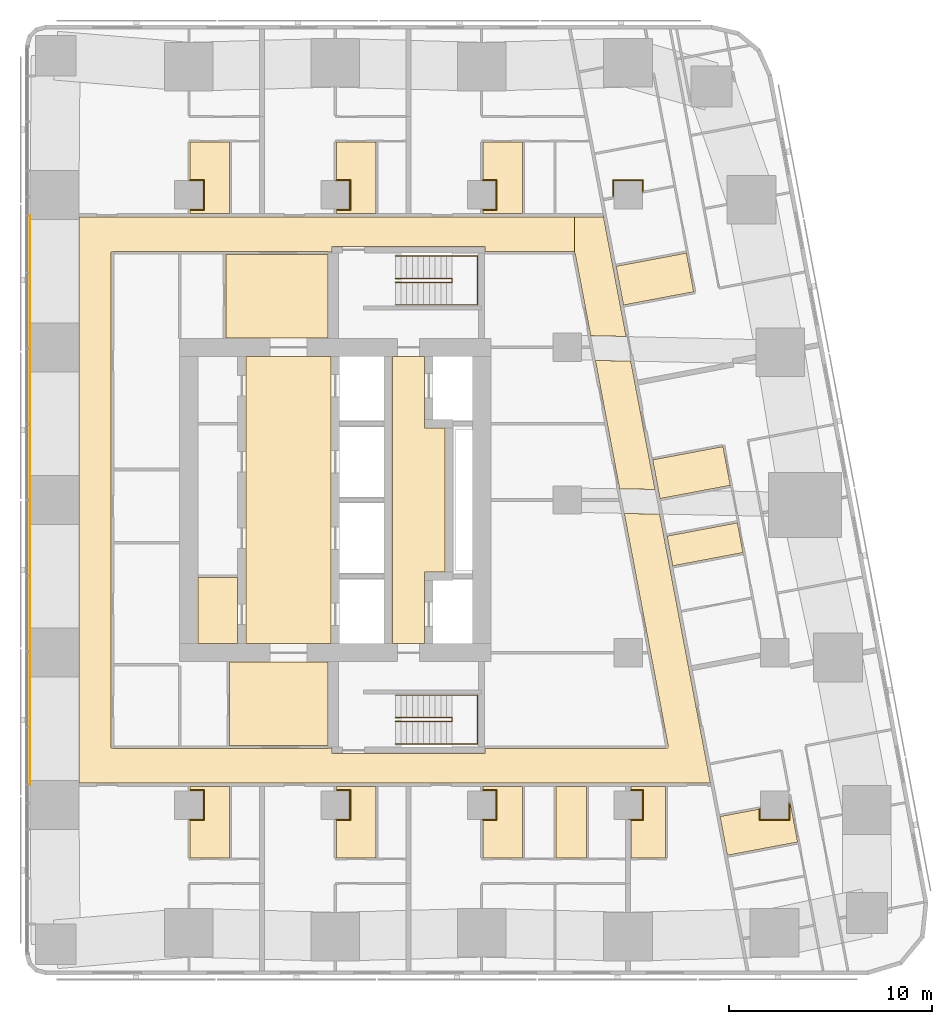
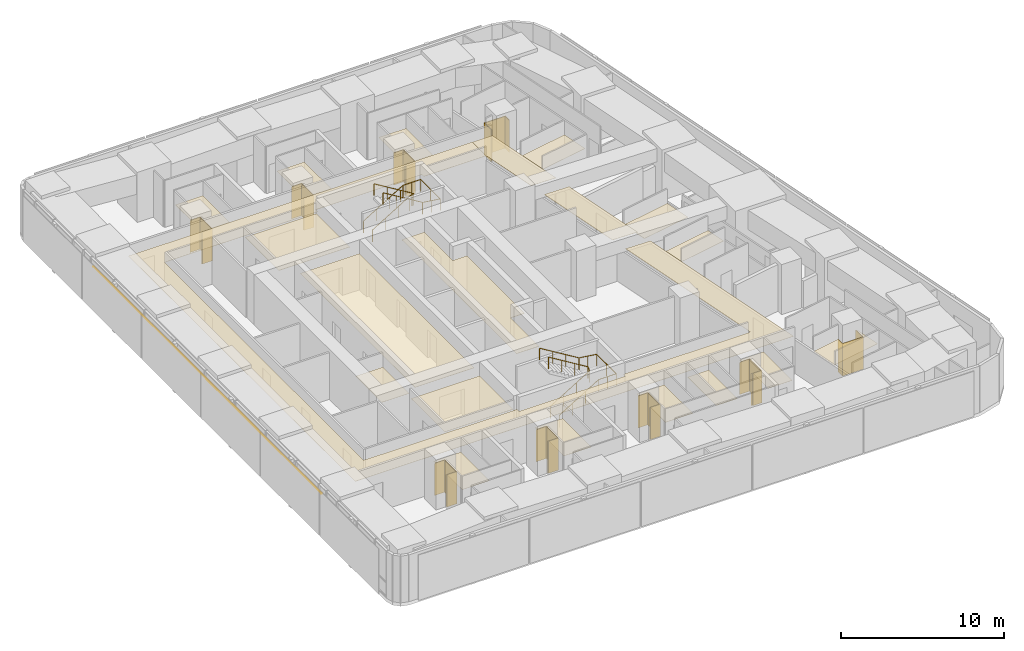
# One storey, part 17 of 17: 30 coverings, 4 railings.
"""IFC4 building model written with IfcOpenShell, lengths in metres."""

from ifc_helpers import new_model, si_unit, direction, frame, origin, origin_2d, place, context, subcontext, project, spatial, polyline, circle, outline, extrude, material, layer, layer_set, type_object, element, save


model = new_model("IFC4")

# Units and contexts
model_context = context("Model", 3, precision=1e-05, world=origin(), true_north=direction((0.0, 1.0)))
body_context = subcontext(model_context, "Body", "Model", "MODEL_VIEW")
ifc_project = project(units=[si_unit("LENGTHUNIT", "METRE"), si_unit("AREAUNIT", "SQUARE_METRE"), si_unit("VOLUMEUNIT", "CUBIC_METRE"), si_unit("PLANEANGLEUNIT", "RADIAN"), si_unit("MASSUNIT", "GRAM", prefix="KILO")], contexts=[model_context])

# Site, building, storey
site_placement = place(None, origin())
site = spatial("IfcSite", under=ifc_project, at=site_placement, CompositionType="ELEMENT")
building_placement = place(site_placement, origin())
building = spatial("IfcBuilding", under=site, at=building_placement, Name="Sheger Commons Tower", CompositionType="ELEMENT")
storey_placement = place(building_placement, frame((0.0, 0.0, 212.449951171875)))
storey = spatial("IfcBuildingStorey", under=building, at=storey_placement, Name="L54", CompositionType="ELEMENT", Elevation=212.449951171875)

# Railings
ifc_material_1 = material(Name="Steel handrail, black powder-coated", Category="steel")
railing_type = type_object("IfcRailingType", Name="HANDRAIL 900", PredefinedType="HANDRAIL", material=ifc_material_1)
railing_1_placement = place(storey_placement, frame((24.550048828125, 11.60009765625, 0.17041015625)))
element("IfcRailing", 1, at=railing_1_placement, inside=storey, type_object=railing_type, Name="Stair S1 handrail L54", PredefinedType="HANDRAIL", context=body_context, shape_type="SweptSolid", body=[
    extrude(circle(Radius=0.02392578125, at=origin_2d()), frame((0.0, 0.0, 0.8759765625), z_axis=(0.854169791009, 0.0, 0.51999420009), x_axis=(0.0, 1.0, 0.0)), (0.0, 0.0, 1.0), 3.278076171875),
    extrude(circle(Radius=0.02392578125, at=origin_2d()), frame((2.800048828125, 0.0, 2.58056640625), z_axis=(0.0, 0.761090297175, 0.648645943136), x_axis=(-1.0, 0.0, 0.0)), (0.0, 0.0, 1.0), 0.2626953125),
    extrude(circle(Radius=0.02392578125, at=origin_2d()), frame((2.800048828125, 0.199951171875, 2.7509765625), z_axis=(-0.854169791009, 0.0, 0.51999420009), x_axis=(0.0, -1.0, 0.0)), (0.0, 0.0, 1.0), 3.278076171875),
    extrude(circle(Radius=0.02099609375, at=origin_2d()), origin(), (0.0, 0.0, 1.0), 0.851806640625),
    extrude(circle(Radius=0.02099609375, at=origin_2d()), frame((0.933349609375, 0.0, 0.568115234375)), (0.0, 0.0, 1.0), 0.851806640625),
    extrude(circle(Radius=0.02099609375, at=origin_2d()), frame((1.86669921875, 0.0, 1.136474609375)), (0.0, 0.0, 1.0), 0.851806640625),
    extrude(circle(Radius=0.02099609375, at=origin_2d()), frame((2.800048828125, 0.0, 1.70458984375)), (0.0, 0.0, 1.0), 0.851806640625),
    extrude(circle(Radius=0.02099609375, at=origin_2d()), frame((2.800048828125, 0.199951171875, 1.875)), (0.0, 0.0, 1.0), 0.851806640625),
    extrude(circle(Radius=0.02099609375, at=origin_2d()), frame((1.86669921875, 0.199951171875, 2.443115234375)), (0.0, 0.0, 1.0), 0.851806640625),
    extrude(circle(Radius=0.02099609375, at=origin_2d()), frame((0.933349609375, 0.199951171875, 3.011474609375)), (0.0, 0.0, 1.0), 0.851806640625),
    extrude(circle(Radius=0.02099609375, at=origin_2d()), frame((0.0, 0.199951171875, 3.57958984375)), (0.0, 0.0, 1.0), 0.851806640625),
])
railing_2_placement = place(storey_placement, frame((24.550048828125, 10.5, 0.17041015625)))
element("IfcRailing", 2, at=railing_2_placement, inside=storey, type_object=railing_type, Name="Stair S1 handrail L54", PredefinedType="HANDRAIL", context=body_context, shape_type="SweptSolid", body=[
    extrude(circle(Radius=0.02392578125, at=origin_2d()), frame((0.0, 0.0, 0.8759765625), z_axis=(0.854169791009, 0.0, 0.51999420009), x_axis=(0.0, 1.0, 0.0)), (0.0, 0.0, 1.0), 3.278076171875),
    extrude(circle(Radius=0.02392578125, at=origin_2d()), frame((2.800048828125, 0.0, 2.58056640625), z_axis=(1.0, 0.0, 0.0), x_axis=(0.0, 1.0, 0.0)), (0.0, 0.0, 1.0), 1.25),
    extrude(circle(Radius=0.02392578125, at=origin_2d()), frame((4.050048828125, 0.0, 2.58056640625), z_axis=(0.0, 1.0, 0.0), x_axis=(-1.0, 0.0, 0.0)), (0.0, 0.0, 1.0), 2.39990234375),
    extrude(circle(Radius=0.02392578125, at=origin_2d()), frame((4.050048828125, 2.39990234375, 2.58056640625), z_axis=(-0.990834877927, 0.0, 0.135078661092), x_axis=(0.0, -1.0, 0.0)), (0.0, 0.0, 1.0), 1.261474609375),
    extrude(circle(Radius=0.02392578125, at=origin_2d()), frame((2.800048828125, 2.39990234375, 2.7509765625), z_axis=(-0.854169791009, 0.0, 0.51999420009), x_axis=(0.0, -1.0, 0.0)), (0.0, 0.0, 1.0), 3.278076171875),
    extrude(circle(Radius=0.02099609375, at=origin_2d()), origin(), (0.0, 0.0, 1.0), 0.851806640625),
    extrude(circle(Radius=0.02099609375, at=origin_2d()), frame((0.933349609375, 0.0, 0.568115234375)), (0.0, 0.0, 1.0), 0.851806640625),
    extrude(circle(Radius=0.02099609375, at=origin_2d()), frame((1.86669921875, 0.0, 1.136474609375)), (0.0, 0.0, 1.0), 0.851806640625),
    extrude(circle(Radius=0.02099609375, at=origin_2d()), frame((2.800048828125, 0.0, 1.70458984375)), (0.0, 0.0, 1.0), 0.851806640625),
    extrude(circle(Radius=0.02099609375, at=origin_2d()), frame((3.425048828125, 0.0, 1.70458984375)), (0.0, 0.0, 1.0), 0.851806640625),
    extrude(circle(Radius=0.02099609375, at=origin_2d()), frame((4.050048828125, 0.0, 1.70458984375)), (0.0, 0.0, 1.0), 0.851806640625),
    extrude(circle(Radius=0.02099609375, at=origin_2d()), frame((4.050048828125, 1.199951171875, 1.70458984375)), (0.0, 0.0, 1.0), 0.851806640625),
    extrude(circle(Radius=0.02099609375, at=origin_2d()), frame((4.050048828125, 2.39990234375, 1.70458984375)), (0.0, 0.0, 1.0), 0.851806640625),
    extrude(circle(Radius=0.02099609375, at=origin_2d()), frame((3.425048828125, 2.39990234375, 1.789794921875)), (0.0, 0.0, 1.0), 0.851806640625),
    extrude(circle(Radius=0.02099609375, at=origin_2d()), frame((2.800048828125, 2.39990234375, 1.875)), (0.0, 0.0, 1.0), 0.851806640625),
    extrude(circle(Radius=0.02099609375, at=origin_2d()), frame((1.86669921875, 2.39990234375, 2.443115234375)), (0.0, 0.0, 1.0), 0.851806640625),
    extrude(circle(Radius=0.02099609375, at=origin_2d()), frame((0.933349609375, 2.39990234375, 3.011474609375)), (0.0, 0.0, 1.0), 0.851806640625),
    extrude(circle(Radius=0.02099609375, at=origin_2d()), frame((0.0, 2.39990234375, 3.57958984375)), (0.0, 0.0, 1.0), 0.851806640625),
])
railing_3_placement = place(storey_placement, frame((24.550048828125, 33.39990234375, 0.17041015625)))
element("IfcRailing", 3, at=railing_3_placement, inside=storey, type_object=railing_type, Name="Stair S2 handrail L54", PredefinedType="HANDRAIL", context=body_context, shape_type="SweptSolid", body=[
    extrude(circle(Radius=0.02392578125, at=origin_2d()), frame((0.0, 0.0, 0.8759765625), z_axis=(0.854169791009, 0.0, 0.51999420009), x_axis=(0.0, 1.0, 0.0)), (0.0, 0.0, 1.0), 3.278076171875),
    extrude(circle(Radius=0.02392578125, at=origin_2d()), frame((2.800048828125, 0.0, 2.58056640625), z_axis=(0.0, -0.761090297175, 0.648645943136), x_axis=(1.0, 0.0, 0.0)), (0.0, 0.0, 1.0), 0.2626953125),
    extrude(circle(Radius=0.02392578125, at=origin_2d()), frame((2.800048828125, -0.199951171875, 2.7509765625), z_axis=(-0.854169791009, 0.0, 0.51999420009), x_axis=(0.0, -1.0, 0.0)), (0.0, 0.0, 1.0), 3.278076171875),
    extrude(circle(Radius=0.02099609375, at=origin_2d()), origin(), (0.0, 0.0, 1.0), 0.851806640625),
    extrude(circle(Radius=0.02099609375, at=origin_2d()), frame((0.933349609375, 0.0, 0.568115234375)), (0.0, 0.0, 1.0), 0.851806640625),
    extrude(circle(Radius=0.02099609375, at=origin_2d()), frame((1.86669921875, 0.0, 1.136474609375)), (0.0, 0.0, 1.0), 0.851806640625),
    extrude(circle(Radius=0.02099609375, at=origin_2d()), frame((2.800048828125, 0.0, 1.70458984375)), (0.0, 0.0, 1.0), 0.851806640625),
    extrude(circle(Radius=0.02099609375, at=origin_2d()), frame((2.800048828125, -0.199951171875, 1.875)), (0.0, 0.0, 1.0), 0.851806640625),
    extrude(circle(Radius=0.02099609375, at=origin_2d()), frame((1.86669921875, -0.199951171875, 2.443115234375)), (0.0, 0.0, 1.0), 0.851806640625),
    extrude(circle(Radius=0.02099609375, at=origin_2d()), frame((0.933349609375, -0.199951171875, 3.011474609375)), (0.0, 0.0, 1.0), 0.851806640625),
    extrude(circle(Radius=0.02099609375, at=origin_2d()), frame((0.0, -0.199951171875, 3.57958984375)), (0.0, 0.0, 1.0), 0.851806640625),
])
railing_4_placement = place(storey_placement, frame((24.550048828125, 34.5, 0.17041015625)))
element("IfcRailing", 4, at=railing_4_placement, inside=storey, type_object=railing_type, Name="Stair S2 handrail L54", PredefinedType="HANDRAIL", context=body_context, shape_type="SweptSolid", body=[
    extrude(circle(Radius=0.02392578125, at=origin_2d()), frame((0.0, 0.0, 0.8759765625), z_axis=(0.854169791009, 0.0, 0.51999420009), x_axis=(0.0, 1.0, 0.0)), (0.0, 0.0, 1.0), 3.278076171875),
    extrude(circle(Radius=0.02392578125, at=origin_2d()), frame((2.800048828125, 0.0, 2.58056640625), z_axis=(1.0, 0.0, 0.0), x_axis=(0.0, 1.0, 0.0)), (0.0, 0.0, 1.0), 1.25),
    extrude(circle(Radius=0.02392578125, at=origin_2d()), frame((4.050048828125, 0.0, 2.58056640625), z_axis=(0.0, -1.0, 0.0), x_axis=(1.0, 0.0, 0.0)), (0.0, 0.0, 1.0), 2.39990234375),
    extrude(circle(Radius=0.02392578125, at=origin_2d()), frame((4.050048828125, -2.39990234375, 2.58056640625), z_axis=(-0.990834877927, 0.0, 0.135078661092), x_axis=(0.0, -1.0, 0.0)), (0.0, 0.0, 1.0), 1.261474609375),
    extrude(circle(Radius=0.02392578125, at=origin_2d()), frame((2.800048828125, -2.39990234375, 2.7509765625), z_axis=(-0.854169791009, 0.0, 0.51999420009), x_axis=(0.0, -1.0, 0.0)), (0.0, 0.0, 1.0), 3.278076171875),
    extrude(circle(Radius=0.02099609375, at=origin_2d()), origin(), (0.0, 0.0, 1.0), 0.851806640625),
    extrude(circle(Radius=0.02099609375, at=origin_2d()), frame((0.933349609375, 0.0, 0.568115234375)), (0.0, 0.0, 1.0), 0.851806640625),
    extrude(circle(Radius=0.02099609375, at=origin_2d()), frame((1.86669921875, 0.0, 1.136474609375)), (0.0, 0.0, 1.0), 0.851806640625),
    extrude(circle(Radius=0.02099609375, at=origin_2d()), frame((2.800048828125, 0.0, 1.70458984375)), (0.0, 0.0, 1.0), 0.851806640625),
    extrude(circle(Radius=0.02099609375, at=origin_2d()), frame((3.425048828125, 0.0, 1.70458984375)), (0.0, 0.0, 1.0), 0.851806640625),
    extrude(circle(Radius=0.02099609375, at=origin_2d()), frame((4.050048828125, 0.0, 1.70458984375)), (0.0, 0.0, 1.0), 0.851806640625),
    extrude(circle(Radius=0.02099609375, at=origin_2d()), frame((4.050048828125, -1.199951171875, 1.70458984375)), (0.0, 0.0, 1.0), 0.851806640625),
    extrude(circle(Radius=0.02099609375, at=origin_2d()), frame((4.050048828125, -2.39990234375, 1.70458984375)), (0.0, 0.0, 1.0), 0.851806640625),
    extrude(circle(Radius=0.02099609375, at=origin_2d()), frame((3.425048828125, -2.39990234375, 1.789794921875)), (0.0, 0.0, 1.0), 0.851806640625),
    extrude(circle(Radius=0.02099609375, at=origin_2d()), frame((2.800048828125, -2.39990234375, 1.875)), (0.0, 0.0, 1.0), 0.851806640625),
    extrude(circle(Radius=0.02099609375, at=origin_2d()), frame((1.86669921875, -2.39990234375, 2.443115234375)), (0.0, 0.0, 1.0), 0.851806640625),
    extrude(circle(Radius=0.02099609375, at=origin_2d()), frame((0.933349609375, -2.39990234375, 3.011474609375)), (0.0, 0.0, 1.0), 0.851806640625),
    extrude(circle(Radius=0.02099609375, at=origin_2d()), frame((0.0, -2.39990234375, 3.57958984375)), (0.0, 0.0, 1.0), 0.851806640625),
])

# Coverings
ifc_material_2 = material(Name="Moisture-resistant gypsum plasterboard 15 mm on a suspended galvanised steel grid", Category="steel")
ifc_layer_1 = layer(ifc_material_2, 0.014892578125)
ifc_layer_set_1 = layer_set([ifc_layer_1], Name="MOISTURE-RESISTANT CEILING 15")
covering_type_1 = type_object("IfcCoveringType", Name="MOISTURE-RESISTANT CEILING 15", PredefinedType="CEILING", material=ifc_layer_set_1)
covering_1_placement = place(storey_placement, frame((0.0, 0.0, 2.400146484375)))
element("IfcCovering", 5, at=covering_1_placement, inside=storey, type_object=covering_type_1, Name="L54-01.B1 ceiling", PredefinedType="CEILING", context=body_context, shape_type="SweptSolid", body=[
    extrude(outline(polyline([(14.455078125, 4.905029296875), (16.39501953125, 4.905029296875), (16.39501953125, 8.419921875), (14.455078125, 8.419921875), (14.455078125, 8.205078125), (15.10498046875, 8.205078125), (15.10498046875, 6.794921875), (14.455078125, 6.794921875), (14.455078125, 4.905029296875)])), origin(), (0.0, 0.0, 1.0), 0.014892578125),
])
covering_2_placement = place(storey_placement, frame((0.0, 0.0, 2.400146484375)))
element("IfcCovering", 6, at=covering_2_placement, inside=storey, type_object=covering_type_1, Name="L54-02.B1 ceiling", PredefinedType="CEILING", context=body_context, shape_type="SweptSolid", body=[
    extrude(outline(polyline([(21.655029296875, 4.905029296875), (23.594970703125, 4.905029296875), (23.594970703125, 8.419921875), (21.655029296875, 8.419921875), (21.655029296875, 8.205078125), (22.304931640625, 8.205078125), (22.304931640625, 6.794921875), (21.655029296875, 6.794921875), (21.655029296875, 4.905029296875)])), origin(), (0.0, 0.0, 1.0), 0.014892578125),
])
covering_3_placement = place(storey_placement, frame((0.0, 0.0, 2.400146484375)))
element("IfcCovering", 7, at=covering_3_placement, inside=storey, type_object=covering_type_1, Name="L54-03.B1 ceiling", PredefinedType="CEILING", context=body_context, shape_type="SweptSolid", body=[
    extrude(outline(polyline([(28.85498046875, 4.905029296875), (30.794921875, 4.905029296875), (30.794921875, 8.419921875), (28.85498046875, 8.419921875), (28.85498046875, 8.205078125), (29.5048828125, 8.205078125), (29.5048828125, 6.794921875), (28.85498046875, 6.794921875), (28.85498046875, 4.905029296875)])), origin(), (0.0, 0.0, 1.0), 0.014892578125),
])
covering_4_placement = place(storey_placement, frame((0.0, 0.0, 2.400146484375)))
element("IfcCovering", 8, at=covering_4_placement, inside=storey, type_object=covering_type_1, Name="L54-03.B2 ceiling", PredefinedType="CEILING", context=body_context, shape_type="SweptSolid", body=[
    extrude(outline(polyline([(32.455078125, 4.905029296875), (33.945068359375, 4.905029296875), (33.945068359375, 8.419921875), (32.455078125, 8.419921875), (32.455078125, 4.905029296875)])), origin(), (0.0, 0.0, 1.0), 0.014892578125),
])
covering_5_placement = place(storey_placement, frame((0.0, 0.0, 2.400146484375)))
element("IfcCovering", 9, at=covering_5_placement, inside=storey, type_object=covering_type_1, Name="L54-04.B1 ceiling", PredefinedType="CEILING", context=body_context, shape_type="SweptSolid", body=[
    extrude(outline(polyline([(36.1298828125, 4.905029296875), (37.8349609375, 4.905029296875), (37.8349609375, 8.419921875), (36.1298828125, 8.419921875), (36.1298828125, 8.205078125), (36.705078125, 8.205078125), (36.705078125, 6.794921875), (36.1298828125, 6.794921875), (36.1298828125, 4.905029296875)])), origin(), (0.0, 0.0, 1.0), 0.014892578125),
])
covering_6_placement = place(storey_placement, frame((0.0, 0.0, 2.400146484375)))
element("IfcCovering", 10, at=covering_6_placement, inside=storey, type_object=covering_type_1, Name="L54-05.B1 ceiling", PredefinedType="CEILING", context=body_context, shape_type="SweptSolid", body=[
    extrude(outline(polyline([(35.77099609375, 32.083984375), (39.22412109375, 32.736083984375), (38.864013671875, 34.64208984375), (35.410888671875, 33.989990234375), (35.77099609375, 32.083984375)])), origin(), (0.0, 0.0, 1.0), 0.014892578125),
])
covering_7_placement = place(storey_placement, frame((0.0, 0.0, 2.400146484375)))
element("IfcCovering", 11, at=covering_7_placement, inside=storey, type_object=covering_type_1, Name="L54-06.B1 ceiling", PredefinedType="CEILING", context=body_context, shape_type="SweptSolid", body=[
    extrude(outline(polyline([(37.568115234375, 22.569091796875), (41.02197265625, 23.220947265625), (40.662109375, 25.1279296875), (37.2080078125, 24.47509765625), (37.568115234375, 22.569091796875)])), origin(), (0.0, 0.0, 1.0), 0.014892578125),
])
covering_8_placement = place(storey_placement, frame((0.0, 0.0, 2.400146484375)))
element("IfcCovering", 12, at=covering_8_placement, inside=storey, type_object=covering_type_1, Name="L54-06.B2 ceiling", PredefinedType="CEILING", context=body_context, shape_type="SweptSolid", body=[
    extrude(outline(polyline([(38.193115234375, 19.260986328125), (41.64697265625, 19.9140625), (41.37109375, 21.3779296875), (37.916015625, 20.72607421875), (38.193115234375, 19.260986328125)])), origin(), (0.0, 0.0, 1.0), 0.014892578125),
])
covering_9_placement = place(storey_placement, frame((0.0, 0.0, 2.400146484375)))
element("IfcCovering", 13, at=covering_9_placement, inside=storey, type_object=covering_type_1, Name="L54-07.B1 ceiling", PredefinedType="CEILING", context=body_context, shape_type="SweptSolid", body=[
    extrude(outline(polyline([(40.8798828125, 5.031982421875), (44.333984375, 5.68408203125), (43.97412109375, 7.591064453125), (43.9150390625, 7.580078125), (43.906982421875, 7.623046875), (43.905029296875, 7.623046875), (43.905029296875, 6.794921875), (42.4951171875, 6.794921875), (42.4951171875, 7.31103515625), (40.52001953125, 6.93798828125), (40.8798828125, 5.031982421875)])), origin(), (0.0, 0.0, 1.0), 0.014892578125),
])
covering_10_placement = place(storey_placement, frame((0.0, 0.0, 2.400146484375)))
element("IfcCovering", 14, at=covering_10_placement, inside=storey, type_object=covering_type_1, Name="L54-08.B1 ceiling", PredefinedType="CEILING", context=body_context, shape_type="SweptSolid", body=[
    extrude(outline(polyline([(14.455078125, 36.580078125), (16.39501953125, 36.580078125), (16.39501953125, 40.094970703125), (14.455078125, 40.094970703125), (14.455078125, 38.205078125), (15.10498046875, 38.205078125), (15.10498046875, 36.794921875), (14.455078125, 36.794921875), (14.455078125, 36.580078125)])), origin(), (0.0, 0.0, 1.0), 0.014892578125),
])
covering_11_placement = place(storey_placement, frame((0.0, 0.0, 2.400146484375)))
element("IfcCovering", 15, at=covering_11_placement, inside=storey, type_object=covering_type_1, Name="L54-09.B1 ceiling", PredefinedType="CEILING", context=body_context, shape_type="SweptSolid", body=[
    extrude(outline(polyline([(21.655029296875, 36.580078125), (23.594970703125, 36.580078125), (23.594970703125, 40.094970703125), (21.655029296875, 40.094970703125), (21.655029296875, 38.205078125), (22.304931640625, 38.205078125), (22.304931640625, 36.794921875), (21.655029296875, 36.794921875), (21.655029296875, 36.580078125)])), origin(), (0.0, 0.0, 1.0), 0.014892578125),
])
covering_12_placement = place(storey_placement, frame((0.0, 0.0, 2.400146484375)))
element("IfcCovering", 16, at=covering_12_placement, inside=storey, type_object=covering_type_1, Name="L54-10.B1 ceiling", PredefinedType="CEILING", context=body_context, shape_type="SweptSolid", body=[
    extrude(outline(polyline([(28.85498046875, 36.580078125), (30.794921875, 36.580078125), (30.794921875, 40.094970703125), (28.85498046875, 40.094970703125), (28.85498046875, 38.205078125), (29.5048828125, 38.205078125), (29.5048828125, 36.794921875), (28.85498046875, 36.794921875), (28.85498046875, 36.580078125)])), origin(), (0.0, 0.0, 1.0), 0.014892578125),
])
covering_13_placement = place(storey_placement, frame((0.0, 0.0, 2.400146484375)))
element("IfcCovering", 17, at=covering_13_placement, inside=storey, type_object=covering_type_1, Name="L54-CRB1 ceiling", PredefinedType="CEILING", context=body_context, shape_type="SweptSolid", body=[
    extrude(outline(polyline([(14.85498046875, 15.455078125), (16.794921875, 15.455078125), (16.794921875, 18.68310546875), (14.85498046875, 18.68310546875), (14.85498046875, 15.455078125)])), origin(), (0.0, 0.0, 1.0), 0.014892578125),
])
ifc_material_3 = material(Name="Gypsum plasterboard 15 mm on a suspended steel grid", Category="steel")
ifc_layer_2 = layer(ifc_material_3, 0.014892578125)
ifc_layer_set_2 = layer_set([ifc_layer_2], Name="SUSPENDED CEILING 15")
covering_type_2 = type_object("IfcCoveringType", Name="SUSPENDED CEILING 15", PredefinedType="CEILING", material=ifc_layer_set_2)
covering_14_placement = place(storey_placement, frame((0.0, 0.0, 2.699951171875)))
element("IfcCovering", 18, at=covering_14_placement, inside=storey, type_object=covering_type_2, Name="L54-CO ceiling", PredefinedType="CEILING", context=body_context, shape_type="SweptSolid", body=[
    extrude(outline(polyline([(6.554931640625, 8.5), (6.594970703125, 8.5), (6.594970703125, 36.5), (6.554931640625, 36.5), (6.554931640625, 8.5)])), origin(), (0.0, 0.0, 1.0), 0.01513671875),
])
covering_15_placement = place(storey_placement, frame((0.0, 0.0, 2.699951171875)))
element("IfcCovering", 19, at=covering_15_placement, inside=storey, type_object=covering_type_2, Name="L54-CO ceiling", PredefinedType="CEILING", context=body_context, shape_type="SweptSolid", body=[
    extrude(outline(polyline([(9.0048828125, 8.580078125), (40.047119140625, 8.580078125), (37.550048828125, 21.802978515625), (35.81103515625, 21.837890625), (37.967041015625, 10.4208984375), (37.949951171875, 10.4169921875), (37.971923828125, 10.300048828125), (37.841064453125, 10.300048828125), (37.841064453125, 10.281982421875), (28.955078125, 10.281982421875), (28.955078125, 10.044921875), (21.445068359375, 10.044921875), (21.445068359375, 10.300048828125), (21.2548828125, 10.300048828125), (21.2548828125, 10.281982421875), (10.7080078125, 10.281982421875), (10.7080078125, 10.294921875), (10.58203125, 10.294921875), (10.58203125, 34.705078125), (10.7080078125, 34.705078125), (10.7080078125, 34.718017578125), (21.2548828125, 34.718017578125), (21.2548828125, 34.699951171875), (21.445068359375, 34.699951171875), (21.445068359375, 34.955078125), (28.955078125, 34.955078125), (28.955078125, 34.718017578125), (33.3359375, 34.718017578125), (33.3359375, 34.699951171875), (33.361083984375, 34.699951171875), (33.361083984375, 36.419921875), (9.0048828125, 36.419921875), (9.0048828125, 8.580078125)])), origin(), (0.0, 0.0, 1.0), 0.01513671875),
])
covering_16_placement = place(storey_placement, frame((0.0, 0.0, 2.699951171875)))
element("IfcCovering", 20, at=covering_16_placement, inside=storey, type_object=covering_type_2, Name="L54-CO ceiling", PredefinedType="CEILING", context=body_context, shape_type="SweptSolid", body=[
    extrude(outline(polyline([(37.321044921875, 23.01806640625), (36.12890625, 29.323974609375), (34.388916015625, 29.363037109375), (35.5810546875, 23.052978515625), (37.321044921875, 23.01806640625)])), origin(), (0.0, 0.0, 1.0), 0.01513671875),
])
covering_17_placement = place(storey_placement, frame((0.0, 0.0, 2.699951171875)))
element("IfcCovering", 21, at=covering_17_placement, inside=storey, type_object=covering_type_2, Name="L54-CO ceiling", PredefinedType="CEILING", context=body_context, shape_type="SweptSolid", body=[
    extrude(outline(polyline([(35.89990234375, 30.5400390625), (34.77392578125, 36.5), (34.77001953125, 36.5), (34.77001953125, 36.419921875), (33.365966796875, 36.419921875), (33.365966796875, 34.697998046875), (33.364013671875, 34.697998046875), (33.382080078125, 34.60205078125), (33.39892578125, 34.60498046875), (34.159912109375, 30.5791015625), (35.89990234375, 30.5400390625)])), origin(), (0.0, 0.0, 1.0), 0.01513671875),
])
covering_18_placement = place(storey_placement, frame((0.0, 0.0, 2.699951171875)))
element("IfcCovering", 22, at=covering_18_placement, inside=storey, type_object=covering_type_2, Name="L54-SVS1 ceiling", PredefinedType="CEILING", context=body_context, shape_type="SweptSolid", body=[
    extrude(outline(polyline([(16.406982421875, 10.41796875), (21.2451171875, 10.41796875), (21.2451171875, 14.544921875), (16.406982421875, 14.544921875), (16.406982421875, 10.41796875)])), origin(), (0.0, 0.0, 1.0), 0.01513671875),
])
covering_19_placement = place(storey_placement, frame((0.0, 0.0, 2.699951171875)))
element("IfcCovering", 23, at=covering_19_placement, inside=storey, type_object=covering_type_2, Name="L54-SVN1 ceiling", PredefinedType="CEILING", context=body_context, shape_type="SweptSolid", body=[
    extrude(outline(polyline([(16.217041015625, 30.455078125), (21.2451171875, 30.455078125), (21.2451171875, 34.58203125), (16.217041015625, 34.58203125), (16.217041015625, 30.455078125)])), origin(), (0.0, 0.0, 1.0), 0.01513671875),
])
covering_20_placement = place(storey_placement, frame((0.0, 0.0, 2.699951171875)))
element("IfcCovering", 24, at=covering_20_placement, inside=storey, type_object=covering_type_2, Name="L54-LL ceiling", PredefinedType="CEILING", context=body_context, shape_type="SweptSolid", body=[
    extrude(outline(polyline([(17.205078125, 15.455078125), (21.39990234375, 15.455078125), (21.39990234375, 29.544921875), (17.205078125, 29.544921875), (17.205078125, 15.455078125)])), origin(), (0.0, 0.0, 1.0), 0.01513671875),
])
covering_21_placement = place(storey_placement, frame((0.0, 0.0, 2.699951171875)))
element("IfcCovering", 25, at=covering_21_placement, inside=storey, type_object=covering_type_2, Name="L54-FL ceiling", PredefinedType="CEILING", context=body_context, shape_type="SweptSolid", body=[
    extrude(outline(polyline([(24.405029296875, 15.455078125), (25.9951171875, 15.455078125), (25.9951171875, 18.955078125), (26.9951171875, 18.955078125), (26.9951171875, 26.044921875), (25.9951171875, 26.044921875), (25.9951171875, 29.544921875), (24.405029296875, 29.544921875), (24.405029296875, 15.455078125)])), origin(), (0.0, 0.0, 1.0), 0.01513671875),
])
ifc_material_4 = material(Name="Moisture-resistant gypsum board 12.5 mm on 25 mm treated timber battens, tanked and tiled", Category="wood")
ifc_layer_3 = layer(ifc_material_4, 0.050048828125)
ifc_layer_set_3 = layer_set([ifc_layer_3], Name="WET-ROOM COLUMN LINING")
covering_type_3 = type_object("IfcCoveringType", Name="WET-ROOM COLUMN LINING", PredefinedType="CLADDING", material=ifc_layer_set_3)
covering_22_placement = place(storey_placement, origin())
element("IfcCovering", 26, at=covering_22_placement, inside=storey, type_object=covering_type_3, Name="Bathroom column lining C11 L54", PredefinedType="CLADDING", context=body_context, shape_type="SweptSolid", body=[
    extrude(outline(polyline([(15.14990234375, 6.75), (14.449951171875, 6.75), (14.449951171875, 6.799072265625), (14.39990234375, 6.799072265625), (14.39990234375, 6.800048828125), (15.10009765625, 6.800048828125), (15.10009765625, 8.199951171875), (14.39990234375, 8.199951171875), (14.39990234375, 8.200927734375), (14.449951171875, 8.200927734375), (14.449951171875, 8.25), (15.14990234375, 8.25), (15.14990234375, 6.75)])), origin(), (0.0, 0.0, 1.0), 2.400146484375),
])
covering_23_placement = place(storey_placement, origin())
element("IfcCovering", 27, at=covering_23_placement, inside=storey, type_object=covering_type_3, Name="Bathroom column lining C11 L54", PredefinedType="CLADDING", context=body_context, shape_type="SweptSolid", body=[
    extrude(outline(polyline([(22.35009765625, 6.75), (21.64990234375, 6.75), (21.64990234375, 6.799072265625), (21.60009765625, 6.799072265625), (21.60009765625, 6.800048828125), (22.300048828125, 6.800048828125), (22.300048828125, 8.199951171875), (21.60009765625, 8.199951171875), (21.60009765625, 8.200927734375), (21.64990234375, 8.200927734375), (21.64990234375, 8.25), (22.35009765625, 8.25), (22.35009765625, 6.75)])), origin(), (0.0, 0.0, 1.0), 2.400146484375),
])
covering_24_placement = place(storey_placement, origin())
element("IfcCovering", 28, at=covering_24_placement, inside=storey, type_object=covering_type_3, Name="Bathroom column lining C11 L54", PredefinedType="CLADDING", context=body_context, shape_type="SweptSolid", body=[
    extrude(outline(polyline([(29.550048828125, 6.75), (28.85009765625, 6.75), (28.85009765625, 6.799072265625), (28.800048828125, 6.799072265625), (28.800048828125, 6.800048828125), (29.5, 6.800048828125), (29.5, 8.199951171875), (28.800048828125, 8.199951171875), (28.800048828125, 8.200927734375), (28.85009765625, 8.200927734375), (28.85009765625, 8.25), (29.550048828125, 8.25), (29.550048828125, 6.75)])), origin(), (0.0, 0.0, 1.0), 2.400146484375),
])
covering_25_placement = place(storey_placement, origin())
element("IfcCovering", 29, at=covering_25_placement, inside=storey, type_object=covering_type_3, Name="Shower room column lining C11 L54", PredefinedType="CLADDING", context=body_context, shape_type="SweptSolid", body=[
    extrude(outline(polyline([(36.75, 6.75), (36.125, 6.75), (36.125, 6.799072265625), (36.0, 6.799072265625), (36.0, 6.800048828125), (36.699951171875, 6.800048828125), (36.699951171875, 8.199951171875), (36.0, 8.199951171875), (36.0, 8.200927734375), (36.125, 8.200927734375), (36.125, 8.25), (36.75, 8.25), (36.75, 6.75)])), origin(), (0.0, 0.0, 1.0), 2.400146484375),
])
covering_26_placement = place(storey_placement, origin())
element("IfcCovering", 30, at=covering_26_placement, inside=storey, type_object=covering_type_3, Name="Bathroom column lining C11 L54", PredefinedType="CLADDING", context=body_context, shape_type="SweptSolid", body=[
    extrude(outline(polyline([(42.5, 7.367919921875), (42.5, 6.800048828125), (43.89990234375, 6.800048828125), (43.89990234375, 7.633056640625), (43.909912109375, 7.635009765625), (43.9189453125, 7.5859375), (43.949951171875, 7.592041015625), (43.949951171875, 6.75), (42.449951171875, 6.75), (42.449951171875, 7.30810546875), (42.4990234375, 7.31689453125), (42.489990234375, 7.365966796875), (42.5, 7.367919921875)])), origin(), (0.0, 0.0, 1.0), 2.400146484375),
])
covering_27_placement = place(storey_placement, origin())
element("IfcCovering", 31, at=covering_27_placement, inside=storey, type_object=covering_type_3, Name="Bathroom column lining C11 L54", PredefinedType="CLADDING", context=body_context, shape_type="SweptSolid", body=[
    extrude(outline(polyline([(15.14990234375, 36.75), (14.449951171875, 36.75), (14.449951171875, 36.799072265625), (14.39990234375, 36.799072265625), (14.39990234375, 36.800048828125), (15.10009765625, 36.800048828125), (15.10009765625, 38.199951171875), (14.39990234375, 38.199951171875), (14.39990234375, 38.200927734375), (14.449951171875, 38.200927734375), (14.449951171875, 38.25), (15.14990234375, 38.25), (15.14990234375, 36.75)])), origin(), (0.0, 0.0, 1.0), 2.400146484375),
])
covering_28_placement = place(storey_placement, origin())
element("IfcCovering", 32, at=covering_28_placement, inside=storey, type_object=covering_type_3, Name="Bathroom column lining C11 L54", PredefinedType="CLADDING", context=body_context, shape_type="SweptSolid", body=[
    extrude(outline(polyline([(22.35009765625, 36.75), (21.64990234375, 36.75), (21.64990234375, 36.799072265625), (21.60009765625, 36.799072265625), (21.60009765625, 36.800048828125), (22.300048828125, 36.800048828125), (22.300048828125, 38.199951171875), (21.60009765625, 38.199951171875), (21.60009765625, 38.200927734375), (21.64990234375, 38.200927734375), (21.64990234375, 38.25), (22.35009765625, 38.25), (22.35009765625, 36.75)])), origin(), (0.0, 0.0, 1.0), 2.400146484375),
])
covering_29_placement = place(storey_placement, origin())
element("IfcCovering", 33, at=covering_29_placement, inside=storey, type_object=covering_type_3, Name="Bathroom column lining C11 L54", PredefinedType="CLADDING", context=body_context, shape_type="SweptSolid", body=[
    extrude(outline(polyline([(29.550048828125, 36.75), (28.85009765625, 36.75), (28.85009765625, 36.799072265625), (28.800048828125, 36.799072265625), (28.800048828125, 36.800048828125), (29.5, 36.800048828125), (29.5, 38.199951171875), (28.800048828125, 38.199951171875), (28.800048828125, 38.200927734375), (28.85009765625, 38.200927734375), (28.85009765625, 38.25), (29.550048828125, 38.25), (29.550048828125, 36.75)])), origin(), (0.0, 0.0, 1.0), 2.400146484375),
])
covering_30_placement = place(storey_placement, origin())
element("IfcCovering", 34, at=covering_30_placement, inside=storey, type_object=covering_type_3, Name="Laundry room column lining C11 L54", PredefinedType="CLADDING", context=body_context, shape_type="SweptSolid", body=[
    extrude(outline(polyline([(36.75, 38.25), (36.75, 37.69189453125), (36.700927734375, 37.68310546875), (36.7099609375, 37.635009765625), (36.699951171875, 37.633056640625), (36.699951171875, 38.199951171875), (35.300048828125, 38.199951171875), (35.300048828125, 37.367919921875), (35.2900390625, 37.365966796875), (35.281005859375, 37.4150390625), (35.25, 37.408935546875), (35.25, 38.25), (36.75, 38.25)])), origin(), (0.0, 0.0, 1.0), 2.400146484375),
])

save(model, "model.ifc")
